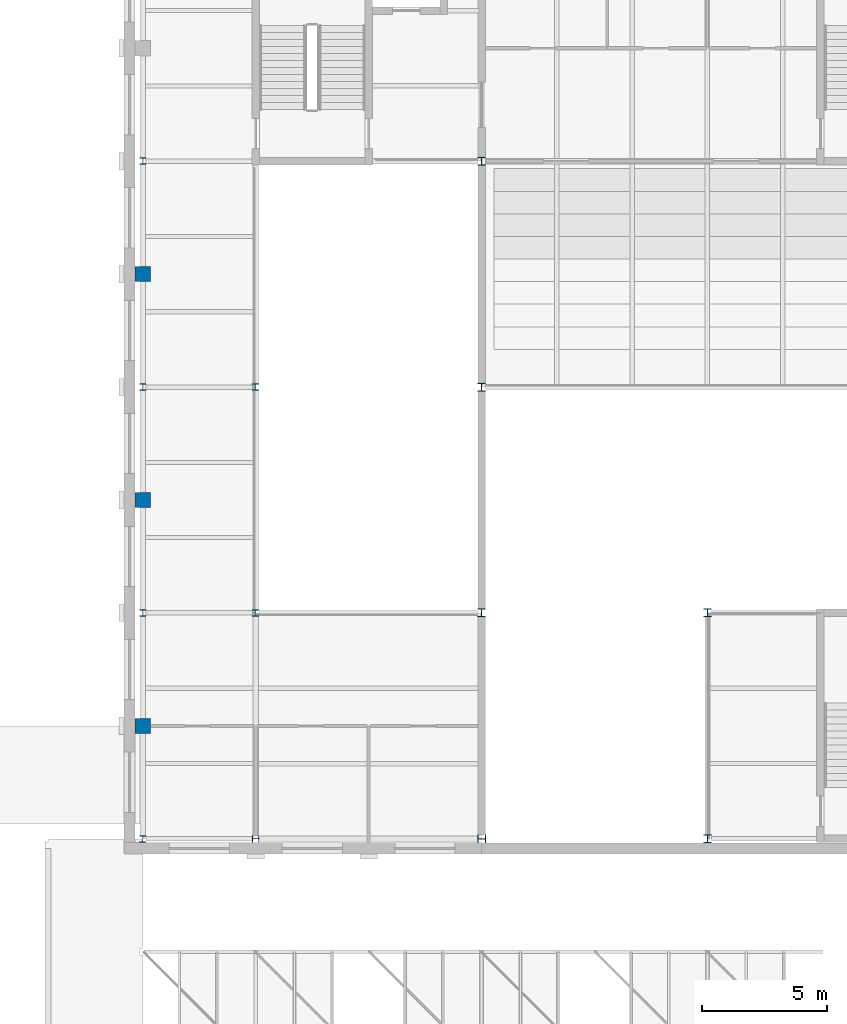
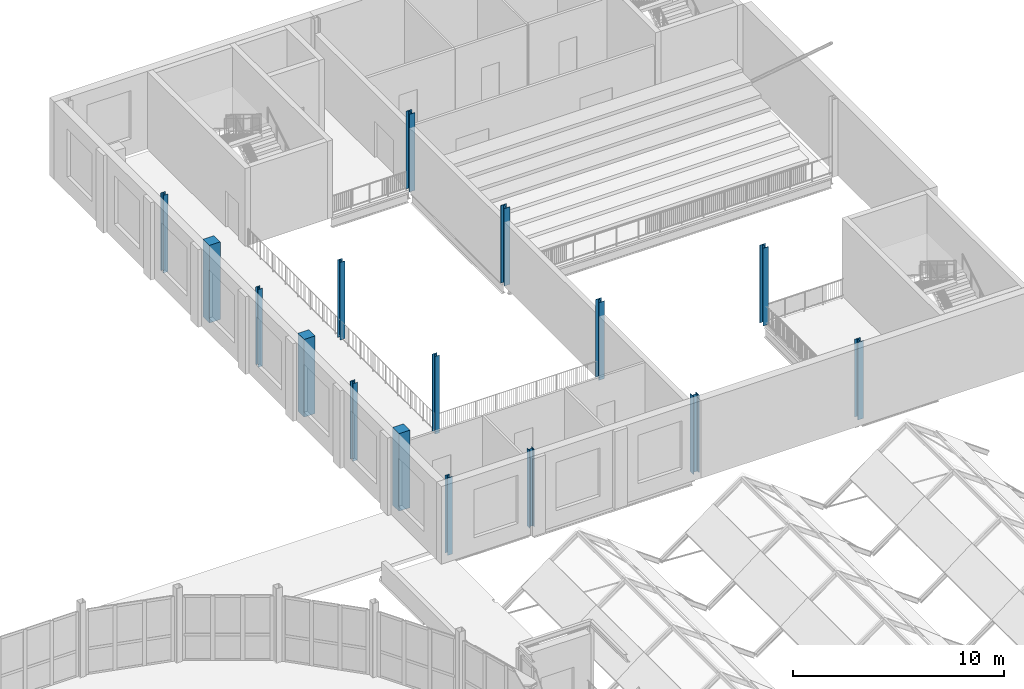
# One storey, part 7 of 74: 16 columns.
"""IFC4 building model written with IfcOpenShell, lengths in metres."""

import ifcopenshell
import ifcopenshell.guid

model = None  # the IFC model being written
_history = None  # IfcOwnerHistory: only IFC2X3 demands one
_inside = {}  # id of a spatial element -> (the spatial element, [elements in it])
_under = {}  # id of a project, library or spatial element -> (it, [spatial elements below it])
_declared = {}  # id of a project -> (the project, [libraries it declares])
_typed = {}  # id of a type object -> (the type object, [elements of that type])
_made_of = {}  # id of a material, layer set ... -> (it, [elements and type objects made of it])


def new_model(schema):
    """Start an empty IFC model of exactly this schema.

    Asked for "IFC4X3", IfcOpenShell would pick the latest addendum, in which some entities
    have other attributes; the version numbers below select the first issue.
    IFC2X3 requires an IfcOwnerHistory on every rooted entity: one is made here for all.
    """
    global model, _history
    if schema == "IFC4X3":
        model = ifcopenshell.file(schema_version=(4, 3, 0, 0))
    else:
        model = ifcopenshell.file(schema=schema)
    _inside.clear()
    _under.clear()
    _declared.clear()
    _typed.clear()
    _made_of.clear()
    _history = None
    if model.schema == "IFC2X3":
        org = make("IfcOrganization", Name="unknown")
        user = make(
            "IfcPersonAndOrganization",
            ThePerson=make("IfcPerson", FamilyName="unknown"),
            TheOrganization=org,
        )
        app = make(
            "IfcApplication",
            ApplicationDeveloper=org,
            Version="unknown",
            ApplicationFullName="unknown",
            ApplicationIdentifier="unknown",
        )
        _history = make(
            "IfcOwnerHistory",
            OwningUser=user,
            OwningApplication=app,
            ChangeAction="ADDED",
            CreationDate=0,
        )
    return model


def make(cls, **values):
    """One entity of the class cls with the attributes given. An attribute that is None is left unset."""
    return model.create_entity(
        cls, **{name: value for name, value in values.items() if value is not None}
    )


def rooted(cls, **values):
    """An entity with a GlobalId (a new one), such as an element, a storey or a relation."""
    return make(cls, GlobalId=ifcopenshell.guid.new(), OwnerHistory=_history, **values)


def si_unit(unit_type, name, prefix=None):
    """IfcSIUnit, for example si_unit("LENGTHUNIT", "METRE", prefix="MILLI")."""
    return make("IfcSIUnit", UnitType=unit_type, Prefix=prefix, Name=name)


def assignment(units):
    """IfcUnitAssignment: the units of a project."""
    return None if units is None else make("IfcUnitAssignment", Units=units)


def point(xyz):
    """IfcCartesianPoint."""
    return None if xyz is None else make("IfcCartesianPoint", Coordinates=xyz)


def direction(xyz):
    """IfcDirection."""
    return None if xyz is None else make("IfcDirection", DirectionRatios=xyz)


def frame(location, z_axis=None, x_axis=None):
    """IfcAxis2Placement3D, a coordinate frame: its origin and axes. An axis left out is left unset."""
    return make(
        "IfcAxis2Placement3D",
        Location=point(location),
        Axis=direction(z_axis),
        RefDirection=direction(x_axis),
    )


def frame_2d(location, x_axis=None):
    """IfcAxis2Placement2D, a coordinate frame in the plane: its origin and x axis."""
    return make(
        "IfcAxis2Placement2D", Location=point(location), RefDirection=direction(x_axis)
    )


def origin():
    """The frame at (0, 0, 0) with its axes left unset."""
    return frame((0.0, 0.0, 0.0))


def origin_2d():
    """The frame at (0, 0) in the plane with its x axis left unset."""
    return frame_2d((0.0, 0.0))


def place(relative_to, where):
    """IfcLocalPlacement: puts the frame where relative to a parent placement (None: the world)."""
    return make(
        "IfcLocalPlacement", PlacementRelTo=relative_to, RelativePlacement=where
    )


def context(
    kind, dimensions, precision=None, world=None, true_north=None, identifier=None
):
    """IfcGeometricRepresentationContext, for example the 3D "Model" context."""
    return make(
        "IfcGeometricRepresentationContext",
        ContextIdentifier=identifier,
        ContextType=kind,
        CoordinateSpaceDimension=dimensions,
        Precision=precision,
        WorldCoordinateSystem=world,
        TrueNorth=true_north,
    )


def subcontext(parent, identifier, kind, view, scale=None):
    """IfcGeometricRepresentationSubContext, for example "Body" below "Model"."""
    return make(
        "IfcGeometricRepresentationSubContext",
        ContextIdentifier=identifier,
        ContextType=kind,
        ParentContext=parent,
        TargetScale=scale,
        TargetView=view,
    )


def project(units=None, contexts=None):
    """IfcProject with its units and contexts."""
    return rooted(
        "IfcProject",
        Name="project",
        RepresentationContexts=contexts,
        UnitsInContext=assignment(units),
    )


def spatial(cls, under=None, at=None, **own):
    """A site, building, storey or space (cls), placed at a placement, below another one or the project."""
    s = rooted(cls, ObjectPlacement=at, **own)
    if under is not None:
        _under.setdefault(under.id(), (under, []))[1].append(s)
    return s


def profile(cls, at=None, kind="AREA", **sizes):
    """A parametric profile (cls). Its sizes go by their IFC names, for example OverallWidth=200.0."""
    return make(cls, ProfileType=kind, Position=at, **sizes)


def rectangle(**sizes):
    """IfcRectangleProfileDef."""
    return profile("IfcRectangleProfileDef", **sizes)


def i_section(**sizes):
    """IfcIShapeProfileDef."""
    return profile("IfcIShapeProfileDef", **sizes)


def extrude(swept, where, along, depth):
    """IfcExtrudedAreaSolid: the profile swept, set in the frame where, extruded along a direction by depth."""
    return make(
        "IfcExtrudedAreaSolid",
        SweptArea=swept,
        Position=where,
        ExtrudedDirection=direction(along),
        Depth=depth,
    )


def shape(context_of_items, identifier, shape_type, items):
    """IfcShapeRepresentation: the items that make up one representation, for example the "Body"."""
    return make(
        "IfcShapeRepresentation",
        ContextOfItems=context_of_items,
        RepresentationIdentifier=identifier,
        RepresentationType=shape_type,
        Items=items,
    )


def material(Name=None, Category=None):
    """IfcMaterial."""
    return make("IfcMaterial", Name=Name, Category=Category)


def material_profile(
    of_material, cross_section, Name=None, Category=None, Priority=None
):
    """IfcMaterialProfile: a cross section and its material."""
    return make(
        "IfcMaterialProfile",
        Name=Name,
        Material=of_material,
        Profile=cross_section,
        Priority=Priority,
        Category=Category,
    )


def profile_set(profiles, Name=None, composite=None):
    """IfcMaterialProfileSet."""
    return make(
        "IfcMaterialProfileSet",
        Name=Name,
        MaterialProfiles=profiles,
        CompositeProfile=composite,
    )


def made_of(thing, what):
    """Note that an element or type object is made of a material, layer set ...; save() writes the relation."""
    if what is not None:
        _made_of.setdefault(what.id(), (what, []))[1].append(thing)
    return thing


def type_object(cls, material=None, **own):
    """A type object (cls), such as IfcWallType, which elements share."""
    return made_of(rooted(cls, **own), material)


def element(
    cls,
    number,
    at=None,
    inside=None,
    cuts=None,
    type_object=None,
    material=None,
    context=None,
    identifier="Body",
    shape_type=None,
    held_by="IfcProductDefinitionShape",
    body=None,
    shapes=None,
    **own,
):
    """One element of the class cls, such as IfcWall. Its Tag is "e" and its number.

    at: its placement. inside: the storey or other place that contains it. cuts: it is an
    opening in that element (IfcRelVoidsElement). A single representation is given by context,
    identifier, shape_type and body (its items); several are given by shapes. held_by: the class
    of the entity that holds the representations. save() writes the other relations.
    """
    e = rooted(cls, Tag="e%d" % number, ObjectPlacement=at, **own)
    if body is not None:
        shapes = [shape(context, identifier, shape_type, body)]
    if shapes is not None:
        e.Representation = make(held_by, Representations=shapes)
    if inside is not None:
        _inside.setdefault(inside.id(), (inside, []))[1].append(e)
    if cuts is not None:
        rooted(
            "IfcRelVoidsElement", RelatingBuildingElement=cuts, RelatedOpeningElement=e
        )
    if type_object is not None:
        _typed.setdefault(type_object.id(), (type_object, []))[1].append(e)
    return made_of(e, material)


def aggregate(whole, parts):
    """IfcRelAggregates: a whole, such as a stair, and the parts it consists of."""
    return rooted("IfcRelAggregates", RelatingObject=whole, RelatedObjects=parts)


def save(model, path):
    """Write the relations noted so far, then the file.

    IfcRelAggregates (storeys below a building ...), IfcRelContainedInSpatialStructure (elements
    in a storey), IfcRelDefinesByType, IfcRelAssociatesMaterial and IfcRelDeclares: one each for
    every whole, place, type object, material and project.
    """
    for whole, parts in _under.values():
        aggregate(whole, parts)
    for where, things in _inside.values():
        rooted(
            "IfcRelContainedInSpatialStructure",
            RelatedElements=things,
            RelatingStructure=where,
        )
    for kind, things in _typed.values():
        rooted("IfcRelDefinesByType", RelatedObjects=things, RelatingType=kind)
    for what, things in _made_of.values():
        rooted("IfcRelAssociatesMaterial", RelatedObjects=things, RelatingMaterial=what)
    for by, libraries in _declared.values():
        rooted("IfcRelDeclares", RelatingContext=by, RelatedDefinitions=libraries)
    model.write(path)


model = new_model("IFC4")

# Units and contexts
model_context = context("Model", 3, precision=1e-05, world=origin(), true_north=direction((0.0, 1.0)))
body_context = subcontext(model_context, "Body", "Model", "MODEL_VIEW")
ifc_project = project(units=[si_unit("LENGTHUNIT", "METRE"), si_unit("AREAUNIT", "SQUARE_METRE"), si_unit("VOLUMEUNIT", "CUBIC_METRE"), si_unit("PLANEANGLEUNIT", "RADIAN"), si_unit("MASSUNIT", "GRAM", prefix="KILO")], contexts=[model_context])

# Site, building, storey
site_placement = place(None, origin())
site = spatial("IfcSite", under=ifc_project, at=site_placement, CompositionType="ELEMENT")
building_placement = place(site_placement, origin())
building = spatial("IfcBuilding", under=site, at=building_placement, Name="Hortulan Conservatory and Botanical Research Centre", CompositionType="ELEMENT")
storey_placement = place(building_placement, frame((0.0, 0.0, 6.0)))
storey = spatial("IfcBuildingStorey", under=building, at=storey_placement, Name="L01", CompositionType="ELEMENT", Elevation=6.0)

# Columns
ifc_material_1 = material(Name="Steel Grade 300PLUS (AS/NZS 3679.1, 280 MPa minimum yield)", Category="steel")
ifc_material_profile_1 = material_profile(ifc_material_1, i_section(OverallWidth=0.256103515625, OverallDepth=0.260009765625, WebThickness=0.010498046875, FlangeThickness=0.017333984375, FilletRadius=0.013916015625, at=origin_2d()), Name="250UC89.5")
ifc_profile_set_1 = profile_set([ifc_material_profile_1], Name="Steel Grade 300PLUS (AS/NZS 3679.1, 280 MPa minimum yield)")
column_type_1 = type_object("IfcColumnType", Name="Auditorium Column 250UC89.5", PredefinedType="COLUMN", material=ifc_profile_set_1)
for number, where, z_axis, x_axis, name in (
    (1, (76.5, 36.0, 0.0), (0.0, 0.0, 1.0), (1.0, 0.0, 0.0), "250UC89.5 column"),
    (2, (76.5, 45.0, 0.0), (0.0, 0.0, 1.0), (1.0, 0.0, 0.0), "250UC89.5 column"),
    (3, (76.5, 54.0, 0.0), (0.0, 0.0, 1.0), (1.0, 0.0, 0.0), "250UC89.5 column"),
    (4, (76.5, 63.0, 0.0), (0.0, 0.0, 1.0), (1.0, 0.0, 0.0), "250UC89.5 column"),
    (5, (81.0, 36.0, 0.0), (0.0, 0.0, 1.0), (0.0, 1.0, 0.0), "250UC89.5 column"),
    (6, (81.0, 45.0, 0.0), (0.0, 0.0, 1.0), (1.0, 0.0, 0.0), "250UC89.5 column"),
    (7, (81.0, 54.0, 0.0), (0.0, 0.0, 1.0), (1.0, 0.0, 0.0), "250UC89.5 column"),
):
    element("IfcColumn", number, at=place(storey_placement, frame(where, z_axis=z_axis, x_axis=x_axis)), inside=storey, type_object=column_type_1, Name=name, PredefinedType="COLUMN", context=body_context, shape_type="SweptSolid", body=[
        extrude(i_section(OverallWidth=0.256103515625, OverallDepth=0.260009765625, WebThickness=0.010498046875, FlangeThickness=0.017333984375, FilletRadius=0.013916015625, at=origin_2d()), origin(), (0.0, 0.0, 1.0), 4.5),
    ])
ifc_material_profile_2 = material_profile(ifc_material_1, i_section(OverallWidth=0.30908203125, OverallDepth=0.321044921875, WebThickness=0.013916015625, FlangeThickness=0.021728515625, FilletRadius=0.0166015625, at=origin_2d()), Name="310UC137")
ifc_profile_set_2 = profile_set([ifc_material_profile_2], Name="Steel Grade 300PLUS (AS/NZS 3679.1, 280 MPa minimum yield)")
column_type_2 = type_object("IfcColumnType", Name="Auditorium Column 310UC137", PredefinedType="COLUMN", material=ifc_profile_set_2)
for number, where, z_axis, x_axis, name in (
    (8, (90.0, 36.0, 0.0), (0.0, 0.0, 1.0), (0.0, 1.0, 0.0), "310UC137 column"),
    (9, (90.0, 45.0, 0.0), (0.0, 0.0, 1.0), (1.0, 0.0, 0.0), "310UC137 column"),
    (10, (90.0, 54.0, 0.0), (0.0, 0.0, 1.0), (1.0, 0.0, 0.0), "310UC137 column"),
    (11, (90.0, 63.0, 0.0), (0.0, 0.0, 1.0), (1.0, 0.0, 0.0), "310UC137 column"),
    (12, (99.0, 36.0, 0.0), (0.0, 0.0, 1.0), (1.0, 0.0, 0.0), "310UC137 column"),
    (13, (99.0, 45.0, 0.0), (0.0, 0.0, 1.0), (1.0, 0.0, 0.0), "310UC137 column"),
):
    element("IfcColumn", number, at=place(storey_placement, frame(where, z_axis=z_axis, x_axis=x_axis)), inside=storey, type_object=column_type_2, Name=name, PredefinedType="COLUMN", context=body_context, shape_type="SweptSolid", body=[
        extrude(i_section(OverallWidth=0.30908203125, OverallDepth=0.321044921875, WebThickness=0.013916015625, FlangeThickness=0.021728515625, FilletRadius=0.0166015625, at=origin_2d()), origin(), (0.0, 0.0, 1.0), 4.5),
    ])
ifc_material_2 = material(Name="Sandstone masonry (25 MPa, AS 3700)", Category="masonry")
ifc_material_profile_3 = material_profile(ifc_material_2, rectangle(XDim=0.60009765625, YDim=0.60009765625, at=origin_2d()), Name="Square pier 600")
ifc_profile_set_3 = profile_set([ifc_material_profile_3], Name="Sandstone masonry (25 MPa, AS 3700)")
column_type_3 = type_object("IfcColumnType", Name="Sandstone Arcade Pier 600x600", PredefinedType="COLUMN", material=ifc_profile_set_3)
for number, where, z_axis, x_axis, name in (
    (14, (76.5, 40.5, 0.0), (0.0, 0.0, 1.0), (1.0, 0.0, 0.0), "Sandstone arcade pier P-76.5-40.5 L01"),
    (15, (76.5, 49.5, 0.0), (0.0, 0.0, 1.0), (1.0, 0.0, 0.0), "Sandstone arcade pier P-76.5-49.5 L01"),
    (16, (76.5, 58.5, 0.0), (0.0, 0.0, 1.0), (1.0, 0.0, 0.0), "Sandstone arcade pier P-76.5-58.5 L01"),
):
    element("IfcColumn", number, at=place(storey_placement, frame(where, z_axis=z_axis, x_axis=x_axis)), inside=storey, type_object=column_type_3, Name=name, PredefinedType="COLUMN", context=body_context, shape_type="SweptSolid", body=[
        extrude(rectangle(XDim=0.60009765625, YDim=0.60009765625, at=origin_2d()), origin(), (0.0, 0.0, 1.0), 4.5),
    ])

save(model, "model.ifc")
